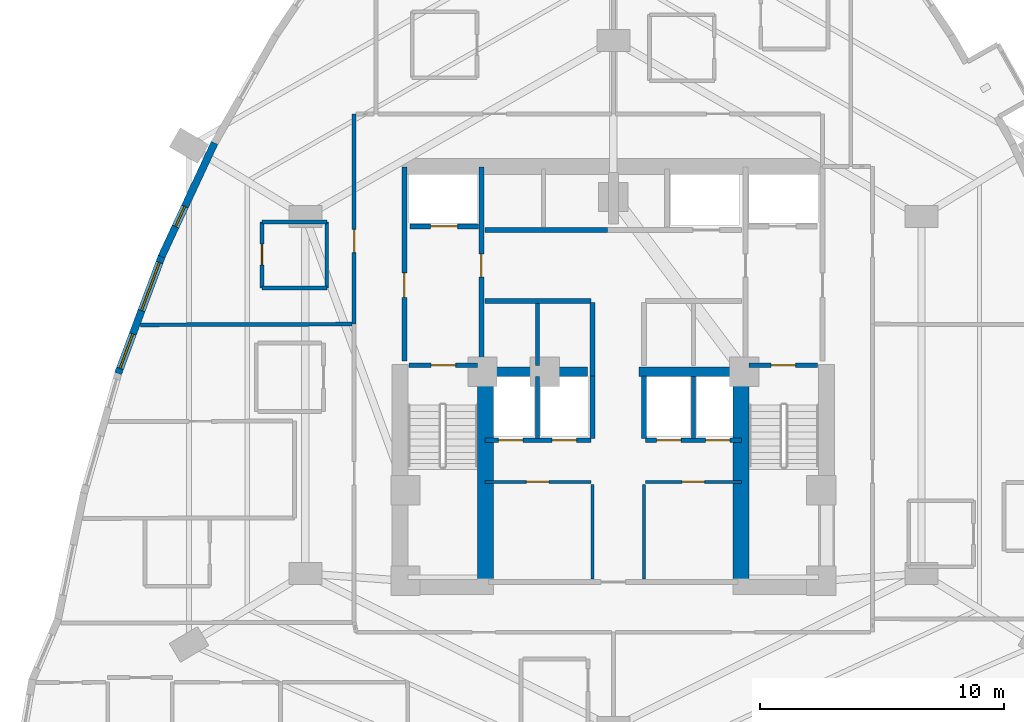
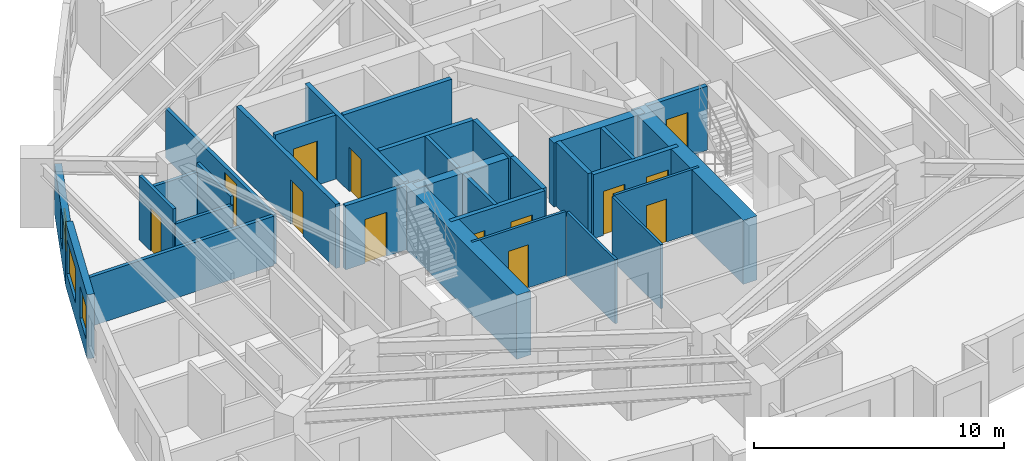
# One storey, part 9 of 14: 31 walls, 13 doors, 3 windows, 16 openings.
"""IFC4 building model written with IfcOpenShell, lengths in metres."""

from ifc_helpers import new_model, si_unit, direction, frame, frame_2d, origin, place, context, subcontext, project, spatial, rectangle, extrude, material, layer, layer_set, type_object, element, fill, save


model = new_model("IFC4")

# Units and contexts
model_context = context("Model", 3, precision=1e-05, world=origin(), true_north=direction((0.0, 1.0)))
body_context = subcontext(model_context, "Body", "Model", "MODEL_VIEW")
ifc_project = project(units=[si_unit("LENGTHUNIT", "METRE"), si_unit("AREAUNIT", "SQUARE_METRE"), si_unit("VOLUMEUNIT", "CUBIC_METRE"), si_unit("PLANEANGLEUNIT", "RADIAN"), si_unit("MASSUNIT", "GRAM", prefix="KILO")], contexts=[model_context])

# Site, building, storey
site_placement = place(None, origin())
site = spatial("IfcSite", under=ifc_project, at=site_placement, CompositionType="ELEMENT")
building_placement = place(site_placement, origin())
building = spatial("IfcBuilding", under=site, at=building_placement, Name="Miruveldt Soraemaru", CompositionType="ELEMENT")
storey_placement = place(building_placement, frame((0.0, 0.0, 80.199951171875)))
storey = spatial("IfcBuildingStorey", under=building, at=storey_placement, Name="L22", CompositionType="ELEMENT", Elevation=80.199951171875)

# Walls
ifc_material_1 = material(Name="Concrete C70/85 (70 MPa)", Category="concrete")
ifc_layer_1 = layer(ifc_material_1, 0.5, Name="Concrete C70/85 (70 MPa)", Category="concrete")
ifc_layer_set_1 = layer_set([ifc_layer_1], Name="Concrete C70/85 (70 MPa)")
wall_type_1 = type_object("IfcWallType", Name="WALL-BW-500", PredefinedType="SHEAR", material=ifc_layer_set_1)
for number, where, z_axis, x_axis, name in (
    (1, (38.75, 44.050048828125, 0.0), (0.0, 0.0, 1.0), (1.0, 0.0, 0.0), "L22 Core Buttress Shear Wall BW"),
    (2, (45.050048828125, 44.050048828125, 0.0), (0.0, 0.0, 1.0), (1.0, 0.0, 0.0), "L22 Core Buttress Shear Wall BE"),
):
    element("IfcWall", number, at=place(storey_placement, frame(where, z_axis=z_axis, x_axis=x_axis)), inside=storey, type_object=wall_type_1, Name=name, PredefinedType="SHEAR", context=body_context, shape_type="SweptSolid", body=[
        extrude(rectangle(XDim=4.199951171875, YDim=0.39990234375, at=frame_2d((2.10009765625, 0.0))), origin(), (0.0, 0.0, 1.0), 3.125),
    ])
ifc_material_2 = material(Name="Concrete C80/95 (80 MPa)", Category="concrete")
ifc_layer_2 = layer(ifc_material_2, 0.64990234375, Name="Concrete C80/95 (80 MPa)", Category="concrete")
ifc_layer_set_2 = layer_set([ifc_layer_2], Name="Concrete C80/95 (80 MPa)")
wall_type_2 = type_object("IfcWallType", Name="WALL-CW-650", PredefinedType="SHEAR", material=ifc_layer_set_2)
for number, where, z_axis, x_axis, name in (
    (3, (38.77490234375, 35.39990234375, 0.0), (0.0, 0.0, 1.0), (0.0, 1.0, 0.0), "L22 Central Core Shear Wall SW-INT"),
    (4, (49.22509765625, 35.39990234375, 0.0), (0.0, 0.0, 1.0), (0.0, 1.0, 0.0), "L22 Central Core Shear Wall SE-INT"),
):
    element("IfcWall", number, at=place(storey_placement, frame(where, z_axis=z_axis, x_axis=x_axis)), inside=storey, type_object=wall_type_2, Name=name, PredefinedType="SHEAR", context=body_context, shape_type="SweptSolid", body=[
        extrude(rectangle(XDim=8.9501953125, YDim=0.64990234375, at=frame_2d((4.47509765625, 0.0))), origin(), (0.0, 0.0, 1.0), 3.125),
    ])

# Wall, opening, window
ifc_material_3 = material(Name="Precast concrete C45/55 (45 MPa)", Category="concrete")
ifc_layer_3 = layer(ifc_material_3, 0.300048828125, Name="Precast concrete C45/55 (45 MPa)", Category="concrete")
ifc_layer_set_3 = layer_set([ifc_layer_3], Name="Precast concrete C45/55 (45 MPa)")
wall_type_3 = type_object("IfcWallType", Name="WALL-EXT-PC300", PredefinedType="SOLIDWALL", material=ifc_layer_set_3)
wall_1_placement = place(storey_placement, frame((27.6865234375, 53.41259765625, 0.0), z_axis=(0.0, 0.0, 1.0), x_axis=(-0.422330811378, -0.906441771853, 0.0)))
wall_1 = element("IfcWall", 5, at=wall_1_placement, inside=storey, type_object=wall_type_3, Name="L22 Precast Concrete Facade Wall 11", PredefinedType="SOLIDWALL", context=body_context, shape_type="SweptSolid", body=[
    extrude(rectangle(XDim=5.13330078125, YDim=0.300048828125, at=frame_2d((2.566650390625, 0.0))), origin(), (0.0, 0.0, 1.0), 2.4130859375),
])
opening_1_placement = place(wall_1_placement, frame((2.873046875, 0.0, 0.7529296875)))
opening_1 = element("IfcOpeningElement", 6, at=opening_1_placement, cuts=wall_1, Name="Opening WN-7", PredefinedType="OPENING", context=body_context, shape_type="SweptSolid", body=[
    extrude(rectangle(XDim=0.89990234375, YDim=1.5, at=frame_2d((0.449951171875, 0.75))), frame((0.0, 0.16015625, 0.0), z_axis=(0.0, -1.0, 0.0), x_axis=(1.0, 0.0, 0.0)), (0.0, 0.0, 1.0), 0.320068359375),
])
ifc_material_4 = material(Name="Triple low-e insulated glazing", Category="glass")
window_type_1 = type_object("IfcWindowType", Name="WIN-PUNCH-900x1500", PartitioningType="SINGLE_PANEL", PredefinedType="WINDOW", material=ifc_material_4)
window_1_placement = place(opening_1_placement, origin())
window_1 = element("IfcWindow", 7, at=window_1_placement, inside=storey, type_object=window_type_1, Name="L22 Punched Triple-Glazed Window 11.1", OverallHeight=1.5, OverallWidth=0.89990234375, PartitioningType="SINGLE_PANEL", PredefinedType="WINDOW", context=body_context, shape_type="SweptSolid", body=[
    extrude(rectangle(XDim=0.89990234375, YDim=1.5, at=frame_2d((0.449951171875, 0.75))), frame((0.0, 0.030029296875, 0.0), z_axis=(0.0, -1.0, 0.0), x_axis=(1.0, 0.0, 0.0)), (0.0, 0.0, 1.0), 0.06005859375),
])
fill(opening_1, window_1)

# Wall, openings, windows
wall_2_placement = place(storey_placement, frame((25.545654296875, 48.82421875, 0.0), z_axis=(0.0, 0.0, 1.0), x_axis=(-0.349030087006, -0.937111518638, 0.0)))
wall_2 = element("IfcWall", 8, at=wall_2_placement, inside=storey, type_object=wall_type_3, Name="L22 Precast Concrete Facade Wall 12", PredefinedType="SOLIDWALL", context=body_context, shape_type="SweptSolid", body=[
    extrude(rectangle(XDim=5.165771484375, YDim=0.300048828125, at=frame_2d((2.5830078125, 0.0))), origin(), (0.0, 0.0, 1.0), 3.125),
])
opening_2_placement = place(wall_2_placement, frame((0.322021484375, 0.0, 0.800048828125)))
opening_2 = element("IfcOpeningElement", 9, at=opening_2_placement, cuts=wall_2, Name="Opening WN-1", PredefinedType="OPENING", context=body_context, shape_type="SweptSolid", body=[
    extrude(rectangle(XDim=2.10009765625, YDim=1.699951171875, at=frame_2d((1.050048828125, 0.85009765625))), frame((0.0, 0.16015625, 0.0), z_axis=(0.0, -1.0, 0.0), x_axis=(1.0, 0.0, 0.0)), (0.0, 0.0, 1.0), 0.320068359375),
])
opening_3_placement = place(wall_2_placement, frame((3.444091796875, 0.0, 0.800048828125)))
opening_3 = element("IfcOpeningElement", 10, at=opening_3_placement, cuts=wall_2, Name="Opening WN-3", PredefinedType="OPENING", context=body_context, shape_type="SweptSolid", body=[
    extrude(rectangle(XDim=1.5, YDim=1.60009765625, at=frame_2d((0.75, 0.800048828125))), frame((0.0, 0.16015625, 0.0), z_axis=(0.0, -1.0, 0.0), x_axis=(1.0, 0.0, 0.0)), (0.0, 0.0, 1.0), 0.320068359375),
])
window_type_2 = type_object("IfcWindowType", Name="WIN-PUNCH-1500x1600", PartitioningType="SINGLE_PANEL", PredefinedType="WINDOW", material=ifc_material_4)
window_2_placement = place(opening_3_placement, origin())
window_2 = element("IfcWindow", 11, at=window_2_placement, inside=storey, type_object=window_type_2, Name="L22 Punched Triple-Glazed Window 12.2", OverallHeight=1.60009765625, OverallWidth=1.5, PartitioningType="SINGLE_PANEL", PredefinedType="WINDOW", context=body_context, shape_type="SweptSolid", body=[
    extrude(rectangle(XDim=1.5, YDim=1.60009765625, at=frame_2d((0.75, 0.800048828125))), frame((0.0, 0.030029296875, 0.0), z_axis=(0.0, -1.0, 0.0), x_axis=(1.0, 0.0, 0.0)), (0.0, 0.0, 1.0), 0.06005859375),
])
fill(opening_3, window_2)
window_type_3 = type_object("IfcWindowType", Name="WIN-PUNCH-2100x1700", PartitioningType="SINGLE_PANEL", PredefinedType="WINDOW", material=ifc_material_4)
window_3_placement = place(opening_2_placement, origin())
window_3 = element("IfcWindow", 12, at=window_3_placement, inside=storey, type_object=window_type_3, Name="L22 Punched Triple-Glazed Window 12.1", OverallHeight=1.699951171875, OverallWidth=2.10009765625, PartitioningType="SINGLE_PANEL", PredefinedType="WINDOW", context=body_context, shape_type="SweptSolid", body=[
    extrude(rectangle(XDim=2.10009765625, YDim=1.699951171875, at=frame_2d((1.050048828125, 0.85009765625))), frame((0.0, 0.030029296875, 0.0), z_axis=(0.0, -1.0, 0.0), x_axis=(1.0, 0.0, 0.0)), (0.0, 0.0, 1.0), 0.06005859375),
])
fill(opening_2, window_3)

# Wall, opening, door
ifc_material_5 = material(Name="Gypsum plasterboard lining", Category="gypsum")
ifc_layer_4 = layer(ifc_material_5, 0.1201171875, Name="Gypsum plasterboard lining", Category="gypsum")
ifc_layer_set_4 = layer_set([ifc_layer_4], Name="Gypsum plasterboard lining")
wall_type_4 = type_object("IfcWallType", Name="WALL-INT-P120", PredefinedType="PARTITIONING", material=ifc_layer_set_4)
wall_3_placement = place(storey_placement, frame((38.75, 39.550048828125, 0.0), z_axis=(0.0, 0.0, 1.0), x_axis=(1.0, 0.0, 0.0)))
wall_3 = element("IfcWall", 13, at=wall_3_placement, inside=storey, type_object=wall_type_4, Name="L22 Core Compartment Wall CSW-N", PredefinedType="PARTITIONING", context=body_context, shape_type="SweptSolid", body=[
    extrude(rectangle(XDim=4.330078125, YDim=0.1201171875, at=frame_2d((2.1650390625, 0.0))), origin(), (0.0, 0.0, 1.0), 3.125),
])
opening_4_placement = place(wall_3_placement, frame((1.68994140625, 0.0, 0.0)))
opening_4 = element("IfcOpeningElement", 14, at=opening_4_placement, cuts=wall_3, Name="Opening D3A", PredefinedType="OPENING", context=body_context, shape_type="SweptSolid", body=[
    extrude(rectangle(XDim=0.919921875, YDim=2.10009765625, at=frame_2d((0.4599609375, 1.050048828125))), frame((0.0, 0.070068359375, 0.0), z_axis=(0.0, -1.0, 0.0), x_axis=(1.0, 0.0, 0.0)), (0.0, 0.0, 1.0), 0.14013671875),
])
ifc_material_6 = material(Name="Anodised aluminium EN AW-6063 T6", Category="aluminium")
door_type_1 = type_object("IfcDoorType", Name="DOOR-INT-920", OperationType="NOTDEFINED", PredefinedType="DOOR", material=ifc_material_6)
door_1_placement = place(opening_4_placement, origin())
door_1 = element("IfcDoor", 15, at=door_1_placement, inside=storey, type_object=door_type_1, Name="L22 Fire Door", OperationType="SINGLE_SWING_LEFT", OverallHeight=2.10009765625, OverallWidth=0.919921875, PredefinedType="DOOR", context=body_context, shape_type="SweptSolid", body=[
    extrude(rectangle(XDim=0.919921875, YDim=2.10009765625, at=frame_2d((0.4599609375, 1.050048828125))), frame((0.0, 0.02490234375, 0.0), z_axis=(0.0, -1.0, 0.0), x_axis=(1.0, 0.0, 0.0)), (0.0, 0.0, 1.0), 0.050048828125),
])
fill(opening_4, door_1)

wall_4_placement = place(storey_placement, frame((45.320068359375, 39.550048828125, 0.0), z_axis=(0.0, 0.0, 1.0), x_axis=(1.0, 0.0, 0.0)))
wall_4 = element("IfcWall", 16, at=wall_4_placement, inside=storey, type_object=wall_type_4, Name="L22 Core Compartment Wall CSE-N", PredefinedType="PARTITIONING", context=body_context, shape_type="SweptSolid", body=[
    extrude(rectangle(XDim=3.929931640625, YDim=0.1201171875, at=frame_2d((1.96484375, 0.0))), origin(), (0.0, 0.0, 1.0), 3.125),
])
opening_5_placement = place(wall_4_placement, frame((1.489990234375, 0.0, 0.0)))
opening_5 = element("IfcOpeningElement", 17, at=opening_5_placement, cuts=wall_4, Name="Opening D3A", PredefinedType="OPENING", context=body_context, shape_type="SweptSolid", body=[
    extrude(rectangle(XDim=0.919921875, YDim=2.10009765625, at=frame_2d((0.4599609375, 1.050048828125))), frame((0.0, 0.070068359375, 0.0), z_axis=(0.0, -1.0, 0.0), x_axis=(1.0, 0.0, 0.0)), (0.0, 0.0, 1.0), 0.14013671875),
])
door_2_placement = place(opening_5_placement, origin())
door_2 = element("IfcDoor", 18, at=door_2_placement, inside=storey, type_object=door_type_1, Name="L22 Fire Door", OperationType="SINGLE_SWING_LEFT", OverallHeight=2.10009765625, OverallWidth=0.919921875, PredefinedType="DOOR", context=body_context, shape_type="SweptSolid", body=[
    extrude(rectangle(XDim=0.919921875, YDim=2.10009765625, at=frame_2d((0.4599609375, 1.050048828125))), frame((0.0, 0.02490234375, 0.0), z_axis=(0.0, -1.0, 0.0), x_axis=(1.0, 0.0, 0.0)), (0.0, 0.0, 1.0), 0.050048828125),
])
fill(opening_5, door_2)

# Walls
for number, where, z_axis, x_axis, name in (
    (19, (43.14990234375, 35.580078125, 0.0), (0.0, 0.0, 1.0), (0.0, 1.0, 0.0), "L22 Core Compartment Wall SP-WS"),
    (20, (45.25, 35.580078125, 0.0), (0.0, 0.0, 1.0), (0.0, 1.0, 0.0), "L22 Core Compartment Wall SP-ES"),
):
    element("IfcWall", number, at=place(storey_placement, frame(where, z_axis=z_axis, x_axis=x_axis)), inside=storey, type_object=wall_type_4, Name=name, PredefinedType="PARTITIONING", context=body_context, shape_type="SweptSolid", body=[
        extrude(rectangle(XDim=3.869873046875, YDim=0.1201171875, at=frame_2d((1.93505859375, 0.0))), origin(), (0.0, 0.0, 1.0), 3.125),
    ])

# Wall, opening, door
ifc_layer_5 = layer(ifc_material_5, 0.14990234375, Name="Gypsum plasterboard lining", Category="gypsum")
ifc_layer_set_5 = layer_set([ifc_layer_5], Name="Gypsum plasterboard lining")
wall_type_5 = type_object("IfcWallType", Name="WALL-INT-PLUMB", PredefinedType="PLUMBINGWALL", material=ifc_layer_set_5)
wall_5_placement = place(storey_placement, frame((29.631103515625, 50.179931640625, 0.0), z_axis=(0.0, 0.0, 1.0), x_axis=(0.0, -1.0, 0.0)))
wall_5 = element("IfcWall", 21, at=wall_5_placement, inside=storey, type_object=wall_type_5, Name="L22 Partition Wall 16", PredefinedType="PLUMBINGWALL", context=body_context, shape_type="SweptSolid", body=[
    extrude(rectangle(XDim=2.699951171875, YDim=0.14990234375, at=frame_2d((1.35009765625, 0.0))), origin(), (0.0, 0.0, 1.0), 3.125),
])
opening_6_placement = place(wall_5_placement, frame((0.909912109375, 0.0, 0.0)))
opening_6 = element("IfcOpeningElement", 22, at=opening_6_placement, cuts=wall_5, Name="Opening FD3", PredefinedType="OPENING", context=body_context, shape_type="SweptSolid", body=[
    extrude(rectangle(XDim=0.85009765625, YDim=2.10009765625, at=frame_2d((0.425048828125, 1.050048828125))), frame((0.0, 0.0849609375, 0.0), z_axis=(0.0, -1.0, 0.0), x_axis=(1.0, 0.0, 0.0)), (0.0, 0.0, 1.0), 0.169921875),
])
door_type_2 = type_object("IfcDoorType", Name="DOOR-FD3-850", OperationType="NOTDEFINED", PredefinedType="DOOR", material=ifc_material_6)
door_3_placement = place(opening_6_placement, origin())
door_3 = element("IfcDoor", 23, at=door_3_placement, inside=storey, type_object=door_type_2, Name="L22 Unit CL01 BTH Door", OperationType="SINGLE_SWING_LEFT", OverallHeight=2.10009765625, OverallWidth=0.85009765625, PredefinedType="DOOR", context=body_context, shape_type="SweptSolid", body=[
    extrude(rectangle(XDim=0.85009765625, YDim=2.10009765625, at=frame_2d((0.425048828125, 1.050048828125))), frame((0.0, 0.02490234375, 0.0), z_axis=(0.0, -1.0, 0.0), x_axis=(1.0, 0.0, 0.0)), (0.0, 0.0, 1.0), 0.050048828125),
])
fill(opening_6, door_3)

# Walls
wall_6_placement = place(storey_placement, frame((32.281005859375, 47.47998046875, 0.0), z_axis=(0.0, 0.0, 1.0), x_axis=(0.0, 1.0, 0.0)))
element("IfcWall", 24, at=wall_6_placement, inside=storey, type_object=wall_type_5, Name="L22 Partition Wall 14", PredefinedType="PLUMBINGWALL", context=body_context, shape_type="SweptSolid", body=[
    extrude(rectangle(XDim=2.699951171875, YDim=0.14990234375, at=frame_2d((1.35009765625, 0.0))), origin(), (0.0, 0.0, 1.0), 2.81298828125),
])
for number, where, z_axis, x_axis, name in (
    (25, (32.281005859375, 50.179931640625, 0.0), (0.0, 0.0, 1.0), (-1.0, 0.0, 0.0), "L22 Partition Wall 15"),
    (26, (29.631103515625, 47.47998046875, 0.0), (0.0, 0.0, 1.0), (1.0, 0.0, 0.0), "L22 Partition Wall 17"),
):
    element("IfcWall", number, at=place(storey_placement, frame(where, z_axis=z_axis, x_axis=x_axis)), inside=storey, type_object=wall_type_5, Name=name, PredefinedType="PLUMBINGWALL", context=body_context, shape_type="SweptSolid", body=[
        extrude(rectangle(XDim=2.64990234375, YDim=0.14990234375, at=frame_2d((1.324951171875, 0.0))), origin(), (0.0, 0.0, 1.0), 2.4130859375),
    ])

# Wall, opening, door
ifc_material_7 = material(Name="Concrete C40/50 (40 MPa)", Category="concrete")
ifc_layer_6 = layer(ifc_material_7, 0.159912109375, Name="Concrete C40/50 (40 MPa)", Category="concrete")
ifc_layer_set_6 = layer_set([ifc_layer_6], Name="Concrete C40/50 (40 MPa)")
wall_type_6 = type_object("IfcWallType", Name="WALL-INT-RC160", PredefinedType="SOLIDWALL", material=ifc_layer_set_6)
wall_7_placement = place(storey_placement, frame((33.39990234375, 54.60009765625, 0.0), z_axis=(0.0, 0.0, 1.0), x_axis=(0.0, -1.0, 0.0)))
wall_7 = element("IfcWall", 27, at=wall_7_placement, inside=storey, type_object=wall_type_6, Name="L22 Partition Wall 2", PredefinedType="SOLIDWALL", context=body_context, shape_type="SweptSolid", body=[
    extrude(rectangle(XDim=8.60009765625, YDim=0.159912109375, at=frame_2d((4.300048828125, 0.0))), origin(), (0.0, 0.0, 1.0), 2.4130859375),
])
opening_7_placement = place(wall_7_placement, frame((4.72509765625, 0.0, 0.0)))
opening_7 = element("IfcOpeningElement", 28, at=opening_7_placement, cuts=wall_7, Name="Opening FD2", PredefinedType="OPENING", context=body_context, shape_type="SweptSolid", body=[
    extrude(rectangle(XDim=0.949951171875, YDim=2.14990234375, at=frame_2d((0.47509765625, 1.074951171875))), frame((0.0, 0.08984375, 0.0), z_axis=(0.0, -1.0, 0.0), x_axis=(1.0, 0.0, 0.0)), (0.0, 0.0, 1.0), 0.179931640625),
])
door_type_3 = type_object("IfcDoorType", Name="DOOR-FD2-950", OperationType="NOTDEFINED", PredefinedType="DOOR", material=ifc_material_6)
door_4_placement = place(opening_7_placement, origin())
door_4 = element("IfcDoor", 29, at=door_4_placement, inside=storey, type_object=door_type_3, Name="L22 Unit CL01 Entrance Fire Door", OperationType="SINGLE_SWING_RIGHT", OverallHeight=2.14990234375, OverallWidth=0.949951171875, PredefinedType="DOOR", context=body_context, shape_type="SweptSolid", body=[
    extrude(rectangle(XDim=0.949951171875, YDim=2.14990234375, at=frame_2d((0.47509765625, 1.074951171875))), frame((0.0, 0.02490234375, 0.0), z_axis=(0.0, -1.0, 0.0), x_axis=(1.0, 0.0, 0.0)), (0.0, 0.0, 1.0), 0.050048828125),
])
fill(opening_7, door_4)

# Walls
wall_8_placement = place(storey_placement, frame((24.658935546875, 45.970947265625, 0.0), z_axis=(0.0, 0.0, 1.0), x_axis=(0.999994369988, 0.00335559118, 0.0)))
element("IfcWall", 30, at=wall_8_placement, inside=storey, type_object=wall_type_6, Name="L22 Partition Wall 20", PredefinedType="SOLIDWALL", context=body_context, shape_type="SweptSolid", body=[
    extrude(rectangle(XDim=8.657958984375, YDim=0.159912109375, at=frame_2d((4.3291015625, 0.0))), origin(), (0.0, 0.0, 1.0), 2.4130859375),
])
wall_9_placement = place(storey_placement, frame((40.89990234375, 44.300048828125, 0.0), z_axis=(0.0, 0.0, 1.0), x_axis=(0.0, 1.0, 0.0)))
element("IfcWall", 31, at=wall_9_placement, inside=storey, type_object=wall_type_6, Name="L22 Core Compartment Wall PLM-DW", PredefinedType="SOLIDWALL", context=body_context, shape_type="SweptSolid", body=[
    extrude(rectangle(XDim=2.550048828125, YDim=0.159912109375, at=frame_2d((1.27490234375, 0.0))), origin(), (0.0, 0.0, 1.0), 3.125),
])
for number, where, z_axis, x_axis, name in (
    (32, (40.89990234375, 41.320068359375, 0.0), (0.0, 0.0, 1.0), (0.0, 1.0, 0.0), "L22 Core Compartment Wall PLL-DW"),
    (33, (47.280029296875, 41.320068359375, 0.0), (0.0, 0.0, 1.0), (0.0, 1.0, 0.0), "L22 Core Compartment Wall PLL-DE"),
):
    element("IfcWall", number, at=place(storey_placement, frame(where, z_axis=z_axis, x_axis=x_axis)), inside=storey, type_object=wall_type_6, Name=name, PredefinedType="SOLIDWALL", context=body_context, shape_type="SweptSolid", body=[
        extrude(rectangle(XDim=2.530029296875, YDim=0.159912109375, at=frame_2d((1.26513671875, 0.0))), origin(), (0.0, 0.0, 1.0), 3.125),
    ])

# Wall, opening, door
ifc_layer_7 = layer(ifc_material_7, 0.199951171875, Name="Concrete C40/50 (40 MPa)", Category="concrete")
ifc_layer_set_7 = layer_set([ifc_layer_7], Name="Concrete C40/50 (40 MPa)")
wall_type_7 = type_object("IfcWallType", Name="WALL-INT-RC200", PredefinedType="SOLIDWALL", material=ifc_layer_set_7)
wall_10_placement = place(storey_placement, frame((35.449951171875, 44.5, 0.0), z_axis=(0.0, 0.0, 1.0), x_axis=(0.0, 1.0, 0.0)))
wall_10 = element("IfcWall", 34, at=wall_10_placement, inside=storey, type_object=wall_type_7, Name="L22 Core Compartment Wall FFW-OUT", PredefinedType="SOLIDWALL", context=body_context, shape_type="SweptSolid", body=[
    extrude(rectangle(XDim=7.919921875, YDim=0.199951171875, at=frame_2d((3.9599609375, 0.0))), origin(), (0.0, 0.0, 1.0), 3.125),
])
opening_8_placement = place(wall_10_placement, frame((2.60009765625, 0.0, 0.0)))
opening_8 = element("IfcOpeningElement", 35, at=opening_8_placement, cuts=wall_10, Name="Opening FD1", PredefinedType="OPENING", context=body_context, shape_type="SweptSolid", body=[
    extrude(rectangle(XDim=1.0, YDim=2.14990234375, at=frame_2d((0.5, 1.074951171875))), frame((0.0, 0.10986328125, 0.0), z_axis=(0.0, -1.0, 0.0), x_axis=(1.0, 0.0, 0.0)), (0.0, 0.0, 1.0), 0.219970703125),
])
door_type_4 = type_object("IfcDoorType", Name="DOOR-FD1-1000", OperationType="NOTDEFINED", PredefinedType="DOOR", material=ifc_material_6)
door_5_placement = place(opening_8_placement, origin())
door_5 = element("IfcDoor", 36, at=door_5_placement, inside=storey, type_object=door_type_4, Name="L22 West Firefighting Lobby Exit Door", OperationType="SINGLE_SWING_LEFT", OverallHeight=2.14990234375, OverallWidth=1.0, PredefinedType="DOOR", context=body_context, shape_type="SweptSolid", body=[
    extrude(rectangle(XDim=1.0, YDim=2.14990234375, at=frame_2d((0.5, 1.074951171875))), frame((0.0, 0.02490234375, 0.0), z_axis=(0.0, -1.0, 0.0), x_axis=(1.0, 0.0, 0.0)), (0.0, 0.0, 1.0), 0.050048828125),
])
fill(opening_8, door_5)

wall_11_placement = place(storey_placement, frame((38.60009765625, 44.5, 0.0), z_axis=(0.0, 0.0, 1.0), x_axis=(0.0, 1.0, 0.0)))
wall_11 = element("IfcWall", 37, at=wall_11_placement, inside=storey, type_object=wall_type_7, Name="L22 Core Compartment Wall FFW-IN", PredefinedType="SOLIDWALL", context=body_context, shape_type="SweptSolid", body=[
    extrude(rectangle(XDim=7.919921875, YDim=0.199951171875, at=frame_2d((3.9599609375, 0.0))), origin(), (0.0, 0.0, 1.0), 3.125),
])
opening_9_placement = place(wall_11_placement, frame((3.425048828125, 0.0, 0.0)))
opening_9 = element("IfcOpeningElement", 38, at=opening_9_placement, cuts=wall_11, Name="Opening FD2", PredefinedType="OPENING", context=body_context, shape_type="SweptSolid", body=[
    extrude(rectangle(XDim=0.949951171875, YDim=2.14990234375, at=frame_2d((0.47509765625, 1.074951171875))), frame((0.0, 0.10986328125, 0.0), z_axis=(0.0, -1.0, 0.0), x_axis=(1.0, 0.0, 0.0)), (0.0, 0.0, 1.0), 0.219970703125),
])
door_6_placement = place(opening_9_placement, frame((0.949951171875, 0.0, 0.0), z_axis=(0.0, 0.0, 1.0), x_axis=(-1.0, 0.0, 0.0)))
door_6 = element("IfcDoor", 39, at=door_6_placement, inside=storey, type_object=door_type_3, Name="L22 Lift Lobby to West Fire Lobby Door", OperationType="SINGLE_SWING_RIGHT", OverallHeight=2.14990234375, OverallWidth=0.949951171875, PredefinedType="DOOR", context=body_context, shape_type="SweptSolid", body=[
    extrude(rectangle(XDim=0.949951171875, YDim=2.14990234375, at=frame_2d((0.47509765625, 1.074951171875))), frame((0.0, 0.02490234375, 0.0), z_axis=(0.0, -1.0, 0.0), x_axis=(1.0, 0.0, 0.0)), (0.0, 0.0, 1.0), 0.050048828125),
])
fill(opening_9, door_6)

# Wall, openings, doors
wall_12_placement = place(storey_placement, frame((38.75, 41.25, 0.0), z_axis=(0.0, 0.0, 1.0), x_axis=(1.0, 0.0, 0.0)))
wall_12 = element("IfcWall", 40, at=wall_12_placement, inside=storey, type_object=wall_type_7, Name="L22 Core Compartment Wall LBW-S", PredefinedType="SOLIDWALL", context=body_context, shape_type="SweptSolid", body=[
    extrude(rectangle(XDim=4.330078125, YDim=0.199951171875, at=frame_2d((2.1650390625, 0.0))), origin(), (0.0, 0.0, 1.0), 3.125),
])
opening_10_placement = place(wall_12_placement, frame((0.550048828125, 0.0, 0.0)))
opening_10 = element("IfcOpeningElement", 41, at=opening_10_placement, cuts=wall_12, Name="Opening LD1B", PredefinedType="OPENING", context=body_context, shape_type="SweptSolid", body=[
    extrude(rectangle(XDim=1.0, YDim=2.14990234375, at=frame_2d((0.5, 1.074951171875))), frame((0.0, 0.10986328125, 0.0), z_axis=(0.0, -1.0, 0.0), x_axis=(1.0, 0.0, 0.0)), (0.0, 0.0, 1.0), 0.219970703125),
])
opening_11_placement = place(wall_12_placement, frame((2.75, 0.0, 0.0)))
opening_11 = element("IfcOpeningElement", 42, at=opening_11_placement, cuts=wall_12, Name="Opening LD1B", PredefinedType="OPENING", context=body_context, shape_type="SweptSolid", body=[
    extrude(rectangle(XDim=1.0, YDim=2.14990234375, at=frame_2d((0.5, 1.074951171875))), frame((0.0, 0.10986328125, 0.0), z_axis=(0.0, -1.0, 0.0), x_axis=(1.0, 0.0, 0.0)), (0.0, 0.0, 1.0), 0.219970703125),
])
door_type_5 = type_object("IfcDoorType", Name="DOOR-LD1-1000", OperationType="SLIDING_TO_LEFT", PredefinedType="DOOR", material=ifc_material_6)
door_7_placement = place(opening_10_placement, frame((1.0, 0.0, 0.0), z_axis=(0.0, 0.0, 1.0), x_axis=(-1.0, 0.0, 0.0)))
door_7 = element("IfcDoor", 43, at=door_7_placement, inside=storey, type_object=door_type_5, Name="L22 PL-L1 Landing Door", OperationType="SLIDING_TO_LEFT", OverallHeight=2.14990234375, OverallWidth=1.0, PredefinedType="DOOR", context=body_context, shape_type="SweptSolid", body=[
    extrude(rectangle(XDim=1.0, YDim=2.14990234375, at=frame_2d((0.5, 1.074951171875))), frame((0.0, 0.02490234375, 0.0), z_axis=(0.0, -1.0, 0.0), x_axis=(1.0, 0.0, 0.0)), (0.0, 0.0, 1.0), 0.050048828125),
])
fill(opening_10, door_7)
door_8_placement = place(opening_11_placement, frame((1.0, 0.0, 0.0), z_axis=(0.0, 0.0, 1.0), x_axis=(-1.0, 0.0, 0.0)))
door_8 = element("IfcDoor", 44, at=door_8_placement, inside=storey, type_object=door_type_5, Name="L22 PL-L2 Landing Door", OperationType="SLIDING_TO_LEFT", OverallHeight=2.14990234375, OverallWidth=1.0, PredefinedType="DOOR", context=body_context, shape_type="SweptSolid", body=[
    extrude(rectangle(XDim=1.0, YDim=2.14990234375, at=frame_2d((0.5, 1.074951171875))), frame((0.0, 0.02490234375, 0.0), z_axis=(0.0, -1.0, 0.0), x_axis=(1.0, 0.0, 0.0)), (0.0, 0.0, 1.0), 0.050048828125),
])
fill(opening_11, door_8)

wall_13_placement = place(storey_placement, frame((45.320068359375, 41.25, 0.0), z_axis=(0.0, 0.0, 1.0), x_axis=(1.0, 0.0, 0.0)))
wall_13 = element("IfcWall", 45, at=wall_13_placement, inside=storey, type_object=wall_type_7, Name="L22 Core Compartment Wall LBE-S", PredefinedType="SOLIDWALL", context=body_context, shape_type="SweptSolid", body=[
    extrude(rectangle(XDim=3.929931640625, YDim=0.199951171875, at=frame_2d((1.96484375, 0.0))), origin(), (0.0, 0.0, 1.0), 3.125),
])
opening_12_placement = place(wall_13_placement, frame((0.449951171875, 0.0, 0.0)))
opening_12 = element("IfcOpeningElement", 46, at=opening_12_placement, cuts=wall_13, Name="Opening LD1B", PredefinedType="OPENING", context=body_context, shape_type="SweptSolid", body=[
    extrude(rectangle(XDim=1.0, YDim=2.14990234375, at=frame_2d((0.5, 1.074951171875))), frame((0.0, 0.10986328125, 0.0), z_axis=(0.0, -1.0, 0.0), x_axis=(1.0, 0.0, 0.0)), (0.0, 0.0, 1.0), 0.219970703125),
])
opening_13_placement = place(wall_13_placement, frame((2.449951171875, 0.0, 0.0)))
opening_13 = element("IfcOpeningElement", 47, at=opening_13_placement, cuts=wall_13, Name="Opening LD1B", PredefinedType="OPENING", context=body_context, shape_type="SweptSolid", body=[
    extrude(rectangle(XDim=1.0, YDim=2.14990234375, at=frame_2d((0.5, 1.074951171875))), frame((0.0, 0.10986328125, 0.0), z_axis=(0.0, -1.0, 0.0), x_axis=(1.0, 0.0, 0.0)), (0.0, 0.0, 1.0), 0.219970703125),
])
door_9_placement = place(opening_12_placement, frame((1.0, 0.0, 0.0), z_axis=(0.0, 0.0, 1.0), x_axis=(-1.0, 0.0, 0.0)))
door_9 = element("IfcDoor", 48, at=door_9_placement, inside=storey, type_object=door_type_5, Name="L22 PL-L3 Landing Door", OperationType="SLIDING_TO_LEFT", OverallHeight=2.14990234375, OverallWidth=1.0, PredefinedType="DOOR", context=body_context, shape_type="SweptSolid", body=[
    extrude(rectangle(XDim=1.0, YDim=2.14990234375, at=frame_2d((0.5, 1.074951171875))), frame((0.0, 0.02490234375, 0.0), z_axis=(0.0, -1.0, 0.0), x_axis=(1.0, 0.0, 0.0)), (0.0, 0.0, 1.0), 0.050048828125),
])
fill(opening_12, door_9)
door_10_placement = place(opening_13_placement, frame((1.0, 0.0, 0.0), z_axis=(0.0, 0.0, 1.0), x_axis=(-1.0, 0.0, 0.0)))
door_10 = element("IfcDoor", 49, at=door_10_placement, inside=storey, type_object=door_type_5, Name="L22 PL-L4 Landing Door", OperationType="SLIDING_TO_LEFT", OverallHeight=2.14990234375, OverallWidth=1.0, PredefinedType="DOOR", context=body_context, shape_type="SweptSolid", body=[
    extrude(rectangle(XDim=1.0, YDim=2.14990234375, at=frame_2d((0.5, 1.074951171875))), frame((0.0, 0.02490234375, 0.0), z_axis=(0.0, -1.0, 0.0), x_axis=(1.0, 0.0, 0.0)), (0.0, 0.0, 1.0), 0.050048828125),
])
fill(opening_13, door_10)

# Wall, opening, door
wall_14_placement = place(storey_placement, frame((35.64990234375, 44.320068359375, 0.0), z_axis=(0.0, 0.0, 1.0), x_axis=(1.0, 0.0, 0.0)))
wall_14 = element("IfcWall", 50, at=wall_14_placement, inside=storey, type_object=wall_type_7, Name="L22 Core Compartment Wall ST1-N", PredefinedType="SOLIDWALL", context=body_context, shape_type="SweptSolid", body=[
    extrude(rectangle(XDim=2.800048828125, YDim=0.199951171875, at=frame_2d((1.39990234375, 0.0))), origin(), (0.0, 0.0, 1.0), 3.125),
])
opening_14_placement = place(wall_14_placement, frame((0.89990234375, 0.0, 0.0)))
opening_14 = element("IfcOpeningElement", 51, at=opening_14_placement, cuts=wall_14, Name="Opening FD1", PredefinedType="OPENING", context=body_context, shape_type="SweptSolid", body=[
    extrude(rectangle(XDim=1.0, YDim=2.14990234375, at=frame_2d((0.5, 1.074951171875))), frame((0.0, 0.10986328125, 0.0), z_axis=(0.0, -1.0, 0.0), x_axis=(1.0, 0.0, 0.0)), (0.0, 0.0, 1.0), 0.219970703125),
])
door_11_placement = place(opening_14_placement, frame((1.0, 0.0, 0.0), z_axis=(0.0, 0.0, 1.0), x_axis=(-1.0, 0.0, 0.0)))
door_11 = element("IfcDoor", 52, at=door_11_placement, inside=storey, type_object=door_type_4, Name="L22 Stair ST-1 Fire Door", OperationType="SINGLE_SWING_LEFT", OverallHeight=2.14990234375, OverallWidth=1.0, PredefinedType="DOOR", context=body_context, shape_type="SweptSolid", body=[
    extrude(rectangle(XDim=1.0, YDim=2.14990234375, at=frame_2d((0.5, 1.074951171875))), frame((0.0, 0.02490234375, 0.0), z_axis=(0.0, -1.0, 0.0), x_axis=(1.0, 0.0, 0.0)), (0.0, 0.0, 1.0), 0.050048828125),
])
fill(opening_14, door_11)

wall_15_placement = place(storey_placement, frame((49.550048828125, 44.320068359375, 0.0), z_axis=(0.0, 0.0, 1.0), x_axis=(1.0, 0.0, 0.0)))
wall_15 = element("IfcWall", 53, at=wall_15_placement, inside=storey, type_object=wall_type_7, Name="L22 Core Compartment Wall ST2-N", PredefinedType="SOLIDWALL", context=body_context, shape_type="SweptSolid", body=[
    extrude(rectangle(XDim=2.800048828125, YDim=0.199951171875, at=frame_2d((1.39990234375, 0.0))), origin(), (0.0, 0.0, 1.0), 3.125),
])
opening_15_placement = place(wall_15_placement, frame((0.89990234375, 0.0, 0.0)))
opening_15 = element("IfcOpeningElement", 54, at=opening_15_placement, cuts=wall_15, Name="Opening FD1", PredefinedType="OPENING", context=body_context, shape_type="SweptSolid", body=[
    extrude(rectangle(XDim=1.0, YDim=2.14990234375, at=frame_2d((0.5, 1.074951171875))), frame((0.0, 0.10986328125, 0.0), z_axis=(0.0, -1.0, 0.0), x_axis=(1.0, 0.0, 0.0)), (0.0, 0.0, 1.0), 0.219970703125),
])
door_12_placement = place(opening_15_placement, frame((1.0, 0.0, 0.0), z_axis=(0.0, 0.0, 1.0), x_axis=(-1.0, 0.0, 0.0)))
door_12 = element("IfcDoor", 55, at=door_12_placement, inside=storey, type_object=door_type_4, Name="L22 Stair ST-2 Fire Door", OperationType="SINGLE_SWING_RIGHT", OverallHeight=2.14990234375, OverallWidth=1.0, PredefinedType="DOOR", context=body_context, shape_type="SweptSolid", body=[
    extrude(rectangle(XDim=1.0, YDim=2.14990234375, at=frame_2d((0.5, 1.074951171875))), frame((0.0, 0.02490234375, 0.0), z_axis=(0.0, -1.0, 0.0), x_axis=(1.0, 0.0, 0.0)), (0.0, 0.0, 1.0), 0.050048828125),
])
fill(opening_15, door_12)

wall_16_placement = place(storey_placement, frame((35.679931640625, 50.0, 0.0), z_axis=(0.0, 0.0, 1.0), x_axis=(1.0, 0.0, 0.0)))
wall_16 = element("IfcWall", 56, at=wall_16_placement, inside=storey, type_object=wall_type_7, Name="L22 Core Compartment Wall FFL1-S", PredefinedType="SOLIDWALL", context=body_context, shape_type="SweptSolid", body=[
    extrude(rectangle(XDim=2.800048828125, YDim=0.199951171875, at=frame_2d((1.39990234375, 0.0))), origin(), (0.0, 0.0, 1.0), 3.125),
])
opening_16_placement = place(wall_16_placement, frame((0.85009765625, 0.0, 0.0)))
opening_16 = element("IfcOpeningElement", 57, at=opening_16_placement, cuts=wall_16, Name="Opening LD2", PredefinedType="OPENING", context=body_context, shape_type="SweptSolid", body=[
    extrude(rectangle(XDim=1.10009765625, YDim=2.14990234375, at=frame_2d((0.550048828125, 1.074951171875))), frame((0.0, 0.10986328125, 0.0), z_axis=(0.0, -1.0, 0.0), x_axis=(1.0, 0.0, 0.0)), (0.0, 0.0, 1.0), 0.219970703125),
])
door_type_6 = type_object("IfcDoorType", Name="DOOR-LD2-1100", OperationType="SLIDING_TO_LEFT", PredefinedType="DOOR", material=ifc_material_6)
door_13_placement = place(opening_16_placement, origin())
door_13 = element("IfcDoor", 58, at=door_13_placement, inside=storey, type_object=door_type_6, Name="L22 FFL-1 Landing Door", OperationType="SLIDING_TO_LEFT", OverallHeight=2.14990234375, OverallWidth=1.10009765625, PredefinedType="DOOR", context=body_context, shape_type="SweptSolid", body=[
    extrude(rectangle(XDim=1.10009765625, YDim=2.14990234375, at=frame_2d((0.550048828125, 1.074951171875))), frame((0.0, 0.02490234375, 0.0), z_axis=(0.0, -1.0, 0.0), x_axis=(1.0, 0.0, 0.0)), (0.0, 0.0, 1.0), 0.050048828125),
])
fill(opening_16, door_13)

# Walls
wall_17_placement = place(storey_placement, frame((38.75, 49.85009765625, 0.0), z_axis=(0.0, 0.0, 1.0), x_axis=(1.0, 0.0, 0.0)))
element("IfcWall", 59, at=wall_17_placement, inside=storey, type_object=wall_type_7, Name="L22 Core Compartment Wall ROWA-SW", PredefinedType="SOLIDWALL", context=body_context, shape_type="SweptSolid", body=[
    extrude(rectangle(XDim=5.0, YDim=0.199951171875, at=frame_2d((2.5, 0.0))), origin(), (0.0, 0.0, 1.0), 3.125),
])
wall_18_placement = place(storey_placement, frame((38.75, 46.949951171875, 0.0), z_axis=(0.0, 0.0, 1.0), x_axis=(1.0, 0.0, 0.0)))
element("IfcWall", 60, at=wall_18_placement, inside=storey, type_object=wall_type_7, Name="L22 Core Compartment Wall MBW-N", PredefinedType="SOLIDWALL", context=body_context, shape_type="SweptSolid", body=[
    extrude(rectangle(XDim=4.330078125, YDim=0.199951171875, at=frame_2d((2.1650390625, 0.0))), origin(), (0.0, 0.0, 1.0), 3.125),
])
wall_19_placement = place(storey_placement, frame((43.14990234375, 43.8798828125, 0.0), z_axis=(0.0, 0.0, 1.0), x_axis=(0.0, 1.0, 0.0)))
element("IfcWall", 61, at=wall_19_placement, inside=storey, type_object=wall_type_7, Name="L22 Core Compartment Wall SP-WB", PredefinedType="SOLIDWALL", context=body_context, shape_type="SweptSolid", body=[
    extrude(rectangle(XDim=3.0, YDim=0.199951171875, at=frame_2d((1.5, 0.0))), origin(), (0.0, 0.0, 1.0), 3.125),
])
for number, where, z_axis, x_axis, name in (
    (62, (43.14990234375, 41.320068359375, 0.0), (0.0, 0.0, 1.0), (0.0, 1.0, 0.0), "L22 Core Compartment Wall SP-WC"),
    (63, (45.25, 41.320068359375, 0.0), (0.0, 0.0, 1.0), (0.0, 1.0, 0.0), "L22 Core Compartment Wall SP-EC"),
):
    element("IfcWall", number, at=place(storey_placement, frame(where, z_axis=z_axis, x_axis=x_axis)), inside=storey, type_object=wall_type_7, Name=name, PredefinedType="SOLIDWALL", context=body_context, shape_type="SweptSolid", body=[
        extrude(rectangle(XDim=2.559814453125, YDim=0.199951171875, at=frame_2d((1.27978515625, 0.0))), origin(), (0.0, 0.0, 1.0), 3.125),
    ])

save(model, "model.ifc")
